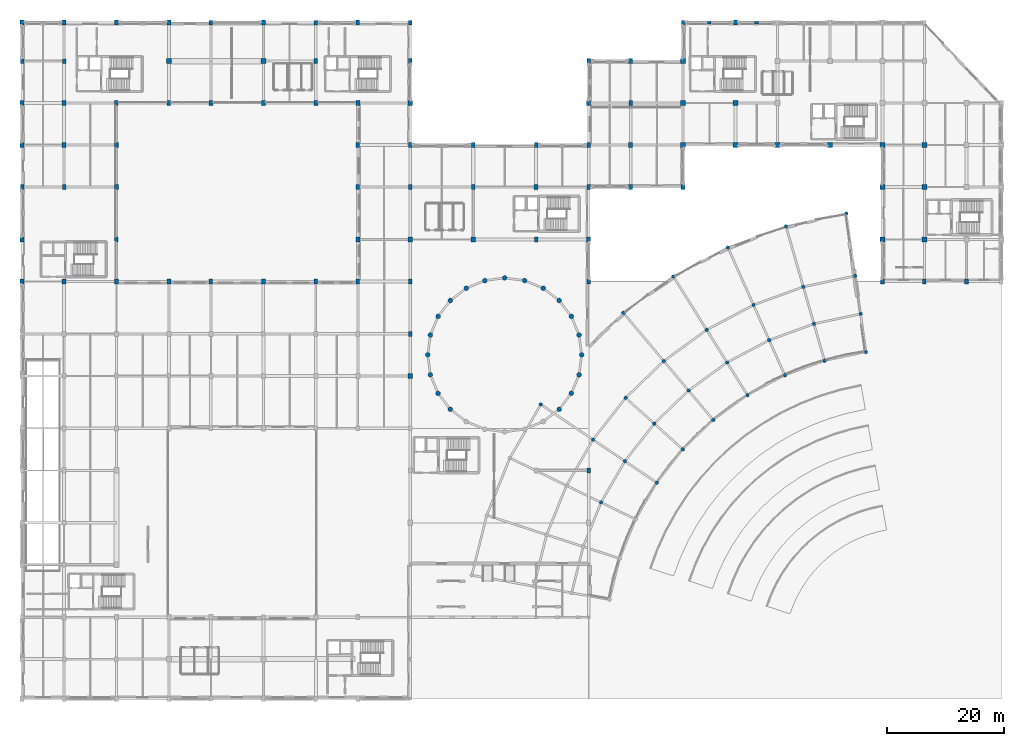
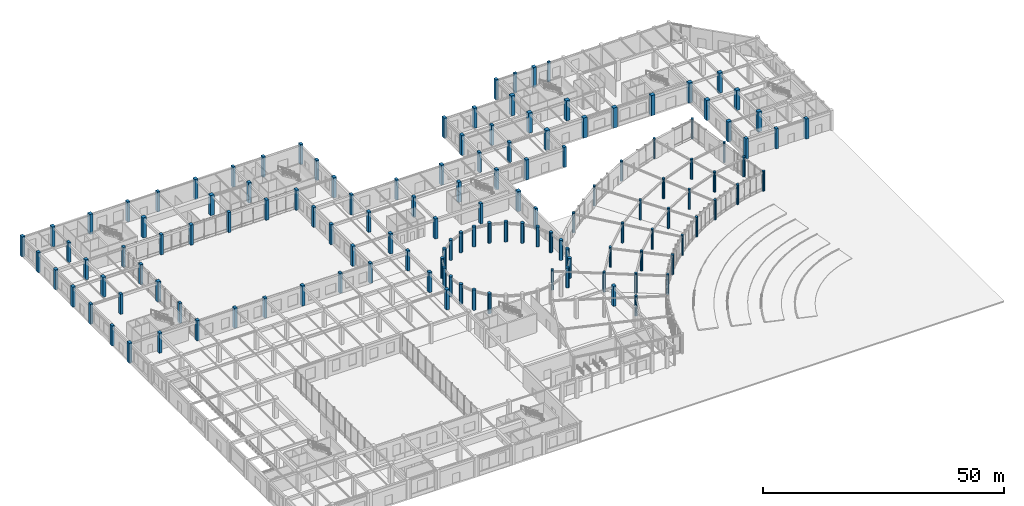
# One storey, part 5 of 64: 134 columns.
"""IFC4 building model written with IfcOpenShell, lengths in metres."""

from ifc_helpers import new_model, si_unit, direction, frame, origin, origin_2d, place, context, subcontext, project, spatial, rectangle, circle, extrude, material, material_profile, profile_set, type_object, element, save


model = new_model("IFC4")

# Units and contexts
model_context = context("Model", 3, precision=1e-05, world=origin(), true_north=direction((0.0, 1.0)))
body_context = subcontext(model_context, "Body", "Model", "MODEL_VIEW")
ifc_project = project(units=[si_unit("LENGTHUNIT", "METRE"), si_unit("AREAUNIT", "SQUARE_METRE"), si_unit("VOLUMEUNIT", "CUBIC_METRE"), si_unit("PLANEANGLEUNIT", "RADIAN"), si_unit("MASSUNIT", "GRAM", prefix="KILO")], contexts=[model_context])

# Site, building, storey
site_placement = place(None, origin())
site = spatial("IfcSite", under=ifc_project, at=site_placement, CompositionType="ELEMENT")
building_placement = place(site_placement, origin())
building = spatial("IfcBuilding", under=site, at=building_placement, Name="Clarverna Civic Hall", CompositionType="ELEMENT")
storey_placement = place(building_placement, origin())
storey = spatial("IfcBuildingStorey", under=building, at=storey_placement, Name="L00", CompositionType="ELEMENT", Elevation=0.0)

# Columns
ifc_material_1 = material(Name="Concrete C35/45", Category="concrete")
ifc_material_profile_1 = material_profile(ifc_material_1, circle(Radius=0.300048828125, at=origin_2d()), Name="RC D600")
ifc_profile_set_1 = profile_set([ifc_material_profile_1], Name="Concrete C35/45")
column_type_1 = type_object("IfcColumnType", Name="C-CV1", PredefinedType="COLUMN", material=ifc_profile_set_1)
for number, where, z_axis, x_axis, name in (
    (1, (142.92578125, 72.5654296875, 0.0), (0.0, 0.0, 1.0), (1.0, 0.0, 0.0), "C-CV1-002"),
    (2, (134.0283203125, 70.67431640625, 0.0), (0.0, 0.0, 1.0), (1.0, 0.0, 0.0), "C-CV1-004"),
    (3, (125.480712890625, 67.563232421875, 0.0), (0.0, 0.0, 1.0), (1.0, 0.0, 0.0), "C-CV1-006"),
    (4, (117.44921875, 63.292724609375, 0.0), (0.0, 0.0, 1.0), (1.0, 0.0, 0.0), "C-CV1-008"),
    (5, (110.090087890625, 57.946044921875, 0.0), (0.0, 0.0, 1.0), (1.0, 0.0, 0.0), "C-CV1-010"),
    (6, (103.547119140625, 51.627197265625, 0.0), (0.0, 0.0, 1.0), (1.0, 0.0, 0.0), "C-CV1-012"),
    (7, (97.94677734375, 44.45947265625, 0.0), (0.0, 0.0, 1.0), (1.0, 0.0, 0.0), "C-CV1-014"),
    (8, (141.4228515625, 83.260498046875, 0.0), (0.0, 0.0, 1.0), (1.0, 0.0, 0.0), "C-CV1-022"),
    (9, (131.051513671875, 81.055908203125, 0.0), (0.0, 0.0, 1.0), (1.0, 0.0, 0.0), "C-CV1-024"),
    (10, (121.087890625, 77.429443359375, 0.0), (0.0, 0.0, 1.0), (1.0, 0.0, 0.0), "C-CV1-026"),
    (11, (111.72607421875, 72.45166015625, 0.0), (0.0, 0.0, 1.0), (1.0, 0.0, 0.0), "C-CV1-028"),
    (12, (103.148193359375, 66.219482421875, 0.0), (0.0, 0.0, 1.0), (1.0, 0.0, 0.0), "C-CV1-030"),
    (13, (88.9931640625, 50.498779296875, 0.0), (0.0, 0.0, 1.0), (1.0, 0.0, 0.0), "C-CV1-032"),
    (14, (143.844482421875, 66.02978515625, 0.0), (0.0, 0.0, 1.0), (1.0, 0.0, 0.0), "C-CV1-040"),
    (15, (135.84765625, 64.329833984375, 0.0), (0.0, 0.0, 1.0), (1.0, 0.0, 0.0), "C-CV1-042"),
    (16, (128.165283203125, 61.53369140625, 0.0), (0.0, 0.0, 1.0), (1.0, 0.0, 0.0), "C-CV1-044"),
    (17, (120.94677734375, 57.695556640625, 0.0), (0.0, 0.0, 1.0), (1.0, 0.0, 0.0), "C-CV1-046"),
    (18, (114.33251953125, 52.89013671875, 0.0), (0.0, 0.0, 1.0), (1.0, 0.0, 0.0), "C-CV1-048"),
    (19, (108.45166015625, 47.211181640625, 0.0), (0.0, 0.0, 1.0), (1.0, 0.0, 0.0), "C-CV1-050"),
    (20, (103.41845703125, 40.768798828125, 0.0), (0.0, 0.0, 1.0), (1.0, 0.0, 0.0), "C-CV1-052"),
    (21, (99.330810546875, 33.6884765625, 0.0), (0.0, 0.0, 1.0), (1.0, 0.0, 0.0), "C-CV1-054"),
    (22, (144.762939453125, 59.493896484375, 0.0), (0.0, 0.0, 1.0), (1.0, 0.0, 0.0), "C-CV1-060"),
    (23, (137.6669921875, 57.985595703125, 0.0), (0.0, 0.0, 1.0), (1.0, 0.0, 0.0), "C-CV1-062"),
    (24, (130.849609375, 55.50439453125, 0.0), (0.0, 0.0, 1.0), (1.0, 0.0, 0.0), "C-CV1-064"),
    (25, (124.444091796875, 52.098388671875, 0.0), (0.0, 0.0, 1.0), (1.0, 0.0, 0.0), "C-CV1-066"),
    (26, (118.574951171875, 47.834228515625, 0.0), (0.0, 0.0, 1.0), (1.0, 0.0, 0.0), "C-CV1-068"),
    (27, (113.3564453125, 42.794921875, 0.0), (0.0, 0.0, 1.0), (1.0, 0.0, 0.0), "C-CV1-070"),
    (28, (108.889892578125, 37.077880859375, 0.0), (0.0, 0.0, 1.0), (1.0, 0.0, 0.0), "C-CV1-072"),
):
    element("IfcColumn", number, at=place(storey_placement, frame(where, z_axis=z_axis, x_axis=x_axis)), inside=storey, type_object=column_type_1, Name=name, PredefinedType="COLUMN", context=body_context, shape_type="SweptSolid", body=[
        extrude(circle(Radius=0.300048828125, at=origin_2d()), origin(), (0.0, 0.0, 1.0), 5.10009765625),
    ])
ifc_material_profile_2 = material_profile(ifc_material_1, circle(Radius=0.39990234375, at=origin_2d()), Name="RC D800")
ifc_profile_set_2 = profile_set([ifc_material_profile_2], Name="Concrete C35/45")
column_type_2 = type_object("IfcColumnType", Name="C-DR1", PredefinedType="COLUMN", material=ifc_profile_set_2)
for number, where, z_axis, x_axis, name in (
    (29, (96.0, 59.0, 0.0), (0.0, 0.0, 1.0), (1.0, 0.0, 0.0), "C-DR1-002"),
    (30, (95.55029296875, 62.41650390625, 0.0), (0.0, 0.0, 1.0), (1.0, 0.0, 0.0), "C-DR1-004"),
    (31, (94.2314453125, 65.60009765625, 0.0), (0.0, 0.0, 1.0), (1.0, 0.0, 0.0), "C-DR1-006"),
    (32, (92.1337890625, 68.333740234375, 0.0), (0.0, 0.0, 1.0), (1.0, 0.0, 0.0), "C-DR1-008"),
    (33, (89.39990234375, 70.431396484375, 0.0), (0.0, 0.0, 1.0), (1.0, 0.0, 0.0), "C-DR1-010"),
    (34, (86.21630859375, 71.750244140625, 0.0), (0.0, 0.0, 1.0), (1.0, 0.0, 0.0), "C-DR1-012"),
    (35, (82.800048828125, 72.199951171875, 0.0), (0.0, 0.0, 1.0), (1.0, 0.0, 0.0), "C-DR1-014"),
    (36, (79.383544921875, 71.750244140625, 0.0), (0.0, 0.0, 1.0), (1.0, 0.0, 0.0), "C-DR1-016"),
    (37, (76.199951171875, 70.431396484375, 0.0), (0.0, 0.0, 1.0), (1.0, 0.0, 0.0), "C-DR1-018"),
    (38, (73.46630859375, 68.333740234375, 0.0), (0.0, 0.0, 1.0), (1.0, 0.0, 0.0), "C-DR1-020"),
    (39, (71.368408203125, 65.60009765625, 0.0), (0.0, 0.0, 1.0), (1.0, 0.0, 0.0), "C-DR1-022"),
    (40, (70.0498046875, 62.41650390625, 0.0), (0.0, 0.0, 1.0), (1.0, 0.0, 0.0), "C-DR1-024"),
    (41, (69.60009765625, 59.0, 0.0), (0.0, 0.0, 1.0), (1.0, 0.0, 0.0), "C-DR1-026"),
    (42, (70.0498046875, 55.58349609375, 0.0), (0.0, 0.0, 1.0), (1.0, 0.0, 0.0), "C-DR1-028"),
    (43, (71.368408203125, 52.39990234375, 0.0), (0.0, 0.0, 1.0), (1.0, 0.0, 0.0), "C-DR1-030"),
    (44, (73.46630859375, 49.666259765625, 0.0), (0.0, 0.0, 1.0), (1.0, 0.0, 0.0), "C-DR1-032"),
    (45, (92.1337890625, 49.666259765625, 0.0), (0.0, 0.0, 1.0), (1.0, 0.0, 0.0), "C-DR1-044"),
    (46, (94.2314453125, 52.39990234375, 0.0), (0.0, 0.0, 1.0), (1.0, 0.0, 0.0), "C-DR1-046"),
    (47, (95.55029296875, 55.58349609375, 0.0), (0.0, 0.0, 1.0), (1.0, 0.0, 0.0), "C-DR1-048"),
):
    element("IfcColumn", number, at=place(storey_placement, frame(where, z_axis=z_axis, x_axis=x_axis)), inside=storey, type_object=column_type_2, Name=name, PredefinedType="COLUMN", context=body_context, shape_type="SweptSolid", body=[
        extrude(circle(Radius=0.39990234375, at=origin_2d()), origin(), (0.0, 0.0, 1.0), 5.10009765625),
    ])
ifc_material_2 = material(Name="Precast concrete C40/50", Category="concrete")
ifc_material_profile_3 = material_profile(ifc_material_2, rectangle(XDim=0.64990234375, YDim=0.419921875, at=origin_2d()), Name="PILASTER 650x420")
ifc_profile_set_3 = profile_set([ifc_material_profile_3], Name="Precast concrete C40/50")
column_type_3 = type_object("IfcColumnType", Name="C-PL1", PredefinedType="PILASTER", material=ifc_profile_set_3)
for number, where, z_axis, x_axis, name in (
    (48, (117.89990234375, 116.0, 0.0), (0.0, 0.0, 1.0), (1.0, 0.0, 0.0), "C-PL1-002"),
    (49, (126.0, 116.0, 0.0), (0.0, 0.0, 1.0), (1.0, 0.0, 0.0), "C-PL1-009"),
):
    element("IfcColumn", number, at=place(storey_placement, frame(where, z_axis=z_axis, x_axis=x_axis)), inside=storey, type_object=column_type_3, Name=name, PredefinedType="PILASTER", context=body_context, shape_type="SweptSolid", body=[
        extrude(rectangle(XDim=0.64990234375, YDim=0.419921875, at=origin_2d()), origin(), (0.0, 0.0, 1.0), 5.10009765625),
    ])
ifc_material_profile_4 = material_profile(ifc_material_1, rectangle(XDim=0.60009765625, YDim=0.800048828125, at=origin_2d()), Name="RC 600x800")
ifc_profile_set_4 = profile_set([ifc_material_profile_4], Name="Concrete C35/45")
column_type_4 = type_object("IfcColumnType", Name="C-RC15", PredefinedType="COLUMN", material=ifc_profile_set_4)
for number, where, z_axis, x_axis, name in (
    (50, (0.0, 87.800048828125, 0.0), (0.0, 0.0, 1.0), (1.0, 0.0, 0.0), "C-RC15-004"),
    (51, (0.0, 109.39990234375, 0.0), (0.0, 0.0, 1.0), (1.0, 0.0, 0.0), "C-RC15-005"),
    (52, (7.199951171875, 87.800048828125, 0.0), (0.0, 0.0, 1.0), (1.0, 0.0, 0.0), "C-RC15-009"),
    (53, (7.199951171875, 109.39990234375, 0.0), (0.0, 0.0, 1.0), (1.0, 0.0, 0.0), "C-RC15-010"),
    (54, (16.199951171875, 78.800048828125, 0.0), (0.0, 0.0, 1.0), (1.0, 0.0, 0.0), "C-RC15-013"),
    (55, (16.199951171875, 102.199951171875, 0.0), (0.0, 0.0, 1.0), (1.0, 0.0, 0.0), "C-RC15-014"),
    (56, (25.199951171875, 102.199951171875, 0.0), (0.0, 0.0, 1.0), (1.0, 0.0, 0.0), "C-RC15-016"),
    (57, (32.39990234375, 71.60009765625, 0.0), (0.0, 0.0, 1.0), (1.0, 0.0, 0.0), "C-RC15-019"),
    (58, (32.39990234375, 116.0, 0.0), (0.0, 0.0, 1.0), (1.0, 0.0, 0.0), "C-RC15-020"),
    (59, (50.39990234375, 71.60009765625, 0.0), (0.0, 0.0, 1.0), (1.0, 0.0, 0.0), "C-RC15-024"),
    (60, (50.39990234375, 116.0, 0.0), (0.0, 0.0, 1.0), (1.0, 0.0, 0.0), "C-RC15-025"),
    (61, (57.60009765625, 71.60009765625, 0.0), (0.0, 0.0, 1.0), (1.0, 0.0, 0.0), "C-RC15-027"),
    (62, (57.60009765625, 95.0, 0.0), (0.0, 0.0, 1.0), (1.0, 0.0, 0.0), "C-RC15-028"),
    (63, (66.60009765625, 71.60009765625, 0.0), (0.0, 0.0, 1.0), (1.0, 0.0, 0.0), "C-RC15-030"),
    (64, (66.60009765625, 95.0, 0.0), (0.0, 0.0, 1.0), (1.0, 0.0, 0.0), "C-RC15-031"),
    (65, (66.60009765625, 116.0, 0.0), (0.0, 0.0, 1.0), (1.0, 0.0, 0.0), "C-RC15-032"),
    (66, (77.39990234375, 95.0, 0.0), (0.0, 0.0, 1.0), (1.0, 0.0, 0.0), "C-RC15-033"),
    (67, (88.199951171875, 78.800048828125, 0.0), (0.0, 0.0, 1.0), (1.0, 0.0, 0.0), "C-RC15-034"),
    (68, (97.199951171875, 71.60009765625, 0.0), (0.0, 0.0, 1.0), (1.0, 0.0, 0.0), "C-RC15-035"),
    (69, (97.199951171875, 95.0, 0.0), (0.0, 0.0, 1.0), (1.0, 0.0, 0.0), "C-RC15-036"),
    (70, (104.39990234375, 102.199951171875, 0.0), (0.0, 0.0, 1.0), (1.0, 0.0, 0.0), "C-RC15-037"),
    (71, (113.39990234375, 116.0, 0.0), (0.0, 0.0, 1.0), (1.0, 0.0, 0.0), "C-RC15-038"),
    (72, (154.800048828125, 71.60009765625, 0.0), (0.0, 0.0, 1.0), (1.0, 0.0, 0.0), "C-RC15-040"),
):
    element("IfcColumn", number, at=place(storey_placement, frame(where, z_axis=z_axis, x_axis=x_axis)), inside=storey, type_object=column_type_4, Name=name, PredefinedType="COLUMN", context=body_context, shape_type="SweptSolid", body=[
        extrude(rectangle(XDim=0.60009765625, YDim=0.800048828125, at=origin_2d()), origin(), (0.0, 0.0, 1.0), 5.10009765625),
    ])
ifc_material_3 = material(Name="Concrete C40/50", Category="concrete")
ifc_material_profile_5 = material_profile(ifc_material_3, rectangle(XDim=0.89990234375, YDim=0.89990234375, at=origin_2d()), Name="RC 900x900")
ifc_profile_set_5 = profile_set([ifc_material_profile_5], Name="Concrete C40/50")
column_type_5 = type_object("IfcColumnType", Name="C-RC2", PredefinedType="COLUMN", material=ifc_profile_set_5)
for number, where, z_axis, x_axis, name in (
    (73, (25.199951171875, 109.39990234375, 0.0), (0.0, 0.0, 1.0), (1.0, 0.0, 0.0), "C-RC2-004"),
    (74, (41.39990234375, 109.39990234375, 0.0), (0.0, 0.0, 1.0), (1.0, 0.0, 0.0), "C-RC2-006"),
    (75, (113.39990234375, 95.0, 0.0), (0.0, 0.0, 1.0), (1.0, 0.0, 0.0), "C-RC2-007"),
    (76, (113.39990234375, 102.199951171875, 0.0), (0.0, 0.0, 1.0), (1.0, 0.0, 0.0), "C-RC2-008"),
    (77, (113.39990234375, 109.39990234375, 0.0), (0.0, 0.0, 1.0), (1.0, 0.0, 0.0), "C-RC2-009"),
    (78, (122.39990234375, 95.0, 0.0), (0.0, 0.0, 1.0), (1.0, 0.0, 0.0), "C-RC2-010"),
    (79, (122.39990234375, 102.199951171875, 0.0), (0.0, 0.0, 1.0), (1.0, 0.0, 0.0), "C-RC2-011"),
    (80, (129.60009765625, 95.0, 0.0), (0.0, 0.0, 1.0), (1.0, 0.0, 0.0), "C-RC2-012"),
    (81, (138.60009765625, 95.0, 0.0), (0.0, 0.0, 1.0), (1.0, 0.0, 0.0), "C-RC2-015"),
    (82, (147.60009765625, 78.800048828125, 0.0), (0.0, 0.0, 1.0), (1.0, 0.0, 0.0), "C-RC2-017"),
    (83, (147.60009765625, 87.800048828125, 0.0), (0.0, 0.0, 1.0), (1.0, 0.0, 0.0), "C-RC2-018"),
    (84, (147.60009765625, 95.0, 0.0), (0.0, 0.0, 1.0), (1.0, 0.0, 0.0), "C-RC2-019"),
    (85, (154.800048828125, 78.800048828125, 0.0), (0.0, 0.0, 1.0), (1.0, 0.0, 0.0), "C-RC2-022"),
    (86, (154.800048828125, 87.800048828125, 0.0), (0.0, 0.0, 1.0), (1.0, 0.0, 0.0), "C-RC2-023"),
    (87, (154.800048828125, 95.0, 0.0), (0.0, 0.0, 1.0), (1.0, 0.0, 0.0), "C-RC2-024"),
):
    element("IfcColumn", number, at=place(storey_placement, frame(where, z_axis=z_axis, x_axis=x_axis)), inside=storey, type_object=column_type_5, Name=name, PredefinedType="COLUMN", context=body_context, shape_type="SweptSolid", body=[
        extrude(rectangle(XDim=0.89990234375, YDim=0.89990234375, at=origin_2d()), origin(), (0.0, 0.0, 1.0), 5.10009765625),
    ])
ifc_material_profile_6 = material_profile(ifc_material_3, rectangle(XDim=0.699951171875, YDim=0.89990234375, at=origin_2d()), Name="RC 700x900")
ifc_profile_set_6 = profile_set([ifc_material_profile_6], Name="Concrete C40/50")
column_type_6 = type_object("IfcColumnType", Name="C-RC6", PredefinedType="COLUMN", material=ifc_profile_set_6)
for number, where, z_axis, x_axis, name in (
    (88, (0.0, 71.60009765625, 0.0), (0.0, 0.0, 1.0), (1.0, 0.0, 0.0), "C-RC6-007"),
    (89, (0.0, 95.0, 0.0), (0.0, 0.0, 1.0), (1.0, 0.0, 0.0), "C-RC6-009"),
    (90, (0.0, 116.0, 0.0), (0.0, 0.0, 1.0), (1.0, 0.0, 0.0), "C-RC6-011"),
    (91, (7.199951171875, 95.0, 0.0), (0.0, 0.0, 1.0), (1.0, 0.0, 0.0), "C-RC6-019"),
    (92, (7.199951171875, 116.0, 0.0), (0.0, 0.0, 1.0), (1.0, 0.0, 0.0), "C-RC6-021"),
    (93, (16.199951171875, 87.800048828125, 0.0), (0.0, 0.0, 1.0), (1.0, 0.0, 0.0), "C-RC6-028"),
    (94, (16.199951171875, 116.0, 0.0), (0.0, 0.0, 1.0), (1.0, 0.0, 0.0), "C-RC6-030"),
    (95, (32.39990234375, 102.199951171875, 0.0), (0.0, 0.0, 1.0), (1.0, 0.0, 0.0), "C-RC6-039"),
    (96, (41.39990234375, 71.60009765625, 0.0), (0.0, 0.0, 1.0), (1.0, 0.0, 0.0), "C-RC6-045"),
    (97, (41.39990234375, 116.0, 0.0), (0.0, 0.0, 1.0), (1.0, 0.0, 0.0), "C-RC6-046"),
    (98, (50.39990234375, 102.199951171875, 0.0), (0.0, 0.0, 1.0), (1.0, 0.0, 0.0), "C-RC6-052"),
    (99, (57.60009765625, 78.800048828125, 0.0), (0.0, 0.0, 1.0), (1.0, 0.0, 0.0), "C-RC6-058"),
    (100, (57.60009765625, 102.199951171875, 0.0), (0.0, 0.0, 1.0), (1.0, 0.0, 0.0), "C-RC6-060"),
    (101, (66.60009765625, 55.39990234375, 0.0), (0.0, 0.0, 1.0), (1.0, 0.0, 0.0), "C-RC6-063"),
    (102, (66.60009765625, 78.800048828125, 0.0), (0.0, 0.0, 1.0), (1.0, 0.0, 0.0), "C-RC6-065"),
    (103, (66.60009765625, 102.199951171875, 0.0), (0.0, 0.0, 1.0), (1.0, 0.0, 0.0), "C-RC6-067"),
    (104, (77.39990234375, 78.800048828125, 0.0), (0.0, 0.0, 1.0), (1.0, 0.0, 0.0), "C-RC6-069"),
    (105, (88.199951171875, 87.800048828125, 0.0), (0.0, 0.0, 1.0), (1.0, 0.0, 0.0), "C-RC6-072"),
    (106, (97.199951171875, 78.800048828125, 0.0), (0.0, 0.0, 1.0), (1.0, 0.0, 0.0), "C-RC6-075"),
    (107, (97.199951171875, 102.199951171875, 0.0), (0.0, 0.0, 1.0), (1.0, 0.0, 0.0), "C-RC6-077"),
    (108, (104.39990234375, 87.800048828125, 0.0), (0.0, 0.0, 1.0), (1.0, 0.0, 0.0), "C-RC6-080"),
    (109, (104.39990234375, 109.39990234375, 0.0), (0.0, 0.0, 1.0), (1.0, 0.0, 0.0), "C-RC6-082"),
    (110, (122.39990234375, 116.0, 0.0), (0.0, 0.0, 1.0), (1.0, 0.0, 0.0), "C-RC6-088"),
    (111, (162.0, 71.60009765625, 0.0), (0.0, 0.0, 1.0), (1.0, 0.0, 0.0), "C-RC6-106"),
):
    element("IfcColumn", number, at=place(storey_placement, frame(where, z_axis=z_axis, x_axis=x_axis)), inside=storey, type_object=column_type_6, Name=name, PredefinedType="COLUMN", context=body_context, shape_type="SweptSolid", body=[
        extrude(rectangle(XDim=0.699951171875, YDim=0.89990234375, at=origin_2d()), origin(), (0.0, 0.0, 1.0), 5.10009765625),
    ])
ifc_material_profile_7 = material_profile(ifc_material_3, rectangle(XDim=0.64990234375, YDim=0.85009765625, at=origin_2d()), Name="RC 650x850")
ifc_profile_set_7 = profile_set([ifc_material_profile_7], Name="Concrete C40/50")
column_type_7 = type_object("IfcColumnType", Name="C-RC7", PredefinedType="COLUMN", material=ifc_profile_set_7)
for number, where, z_axis, x_axis, name in (
    (112, (0.0, 78.800048828125, 0.0), (0.0, 0.0, 1.0), (1.0, 0.0, 0.0), "C-RC7-004"),
    (113, (0.0, 102.199951171875, 0.0), (0.0, 0.0, 1.0), (1.0, 0.0, 0.0), "C-RC7-005"),
    (114, (7.199951171875, 71.60009765625, 0.0), (0.0, 0.0, 1.0), (1.0, 0.0, 0.0), "C-RC7-009"),
    (115, (7.199951171875, 102.199951171875, 0.0), (0.0, 0.0, 1.0), (1.0, 0.0, 0.0), "C-RC7-010"),
    (116, (16.199951171875, 71.60009765625, 0.0), (0.0, 0.0, 1.0), (1.0, 0.0, 0.0), "C-RC7-013"),
    (117, (16.199951171875, 95.0, 0.0), (0.0, 0.0, 1.0), (1.0, 0.0, 0.0), "C-RC7-014"),
    (118, (25.199951171875, 71.60009765625, 0.0), (0.0, 0.0, 1.0), (1.0, 0.0, 0.0), "C-RC7-017"),
    (119, (25.199951171875, 116.0, 0.0), (0.0, 0.0, 1.0), (1.0, 0.0, 0.0), "C-RC7-018"),
    (120, (41.39990234375, 102.199951171875, 0.0), (0.0, 0.0, 1.0), (1.0, 0.0, 0.0), "C-RC7-022"),
    (121, (50.39990234375, 109.39990234375, 0.0), (0.0, 0.0, 1.0), (1.0, 0.0, 0.0), "C-RC7-025"),
    (122, (57.60009765625, 87.800048828125, 0.0), (0.0, 0.0, 1.0), (1.0, 0.0, 0.0), "C-RC7-028"),
    (123, (57.60009765625, 116.0, 0.0), (0.0, 0.0, 1.0), (1.0, 0.0, 0.0), "C-RC7-029"),
    (124, (66.60009765625, 62.60009765625, 0.0), (0.0, 0.0, 1.0), (1.0, 0.0, 0.0), "C-RC7-031"),
    (125, (66.60009765625, 87.800048828125, 0.0), (0.0, 0.0, 1.0), (1.0, 0.0, 0.0), "C-RC7-032"),
    (126, (66.60009765625, 109.39990234375, 0.0), (0.0, 0.0, 1.0), (1.0, 0.0, 0.0), "C-RC7-033"),
    (127, (77.39990234375, 87.800048828125, 0.0), (0.0, 0.0, 1.0), (1.0, 0.0, 0.0), "C-RC7-034"),
    (128, (88.199951171875, 95.0, 0.0), (0.0, 0.0, 1.0), (1.0, 0.0, 0.0), "C-RC7-036"),
    (129, (97.199951171875, 39.199951171875, 0.0), (0.0, 0.0, 1.0), (1.0, 0.0, 0.0), "C-RC7-037"),
    (130, (97.199951171875, 87.800048828125, 0.0), (0.0, 0.0, 1.0), (1.0, 0.0, 0.0), "C-RC7-038"),
    (131, (97.199951171875, 109.39990234375, 0.0), (0.0, 0.0, 1.0), (1.0, 0.0, 0.0), "C-RC7-039"),
    (132, (104.39990234375, 95.0, 0.0), (0.0, 0.0, 1.0), (1.0, 0.0, 0.0), "C-RC7-040"),
    (133, (113.39990234375, 87.800048828125, 0.0), (0.0, 0.0, 1.0), (1.0, 0.0, 0.0), "C-RC7-041"),
    (134, (147.60009765625, 71.60009765625, 0.0), (0.0, 0.0, 1.0), (1.0, 0.0, 0.0), "C-RC7-042"),
):
    element("IfcColumn", number, at=place(storey_placement, frame(where, z_axis=z_axis, x_axis=x_axis)), inside=storey, type_object=column_type_7, Name=name, PredefinedType="COLUMN", context=body_context, shape_type="SweptSolid", body=[
        extrude(rectangle(XDim=0.64990234375, YDim=0.85009765625, at=origin_2d()), origin(), (0.0, 0.0, 1.0), 5.10009765625),
    ])

save(model, "model.ifc")
